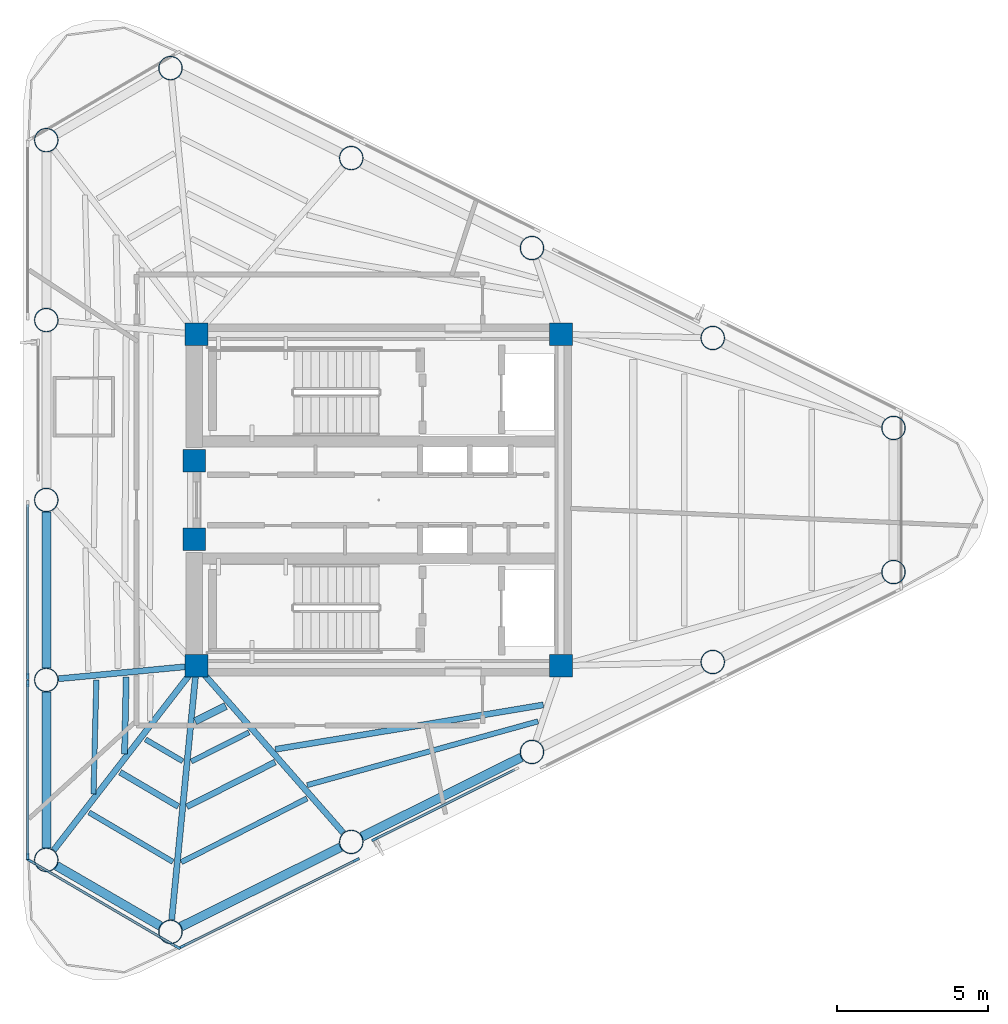
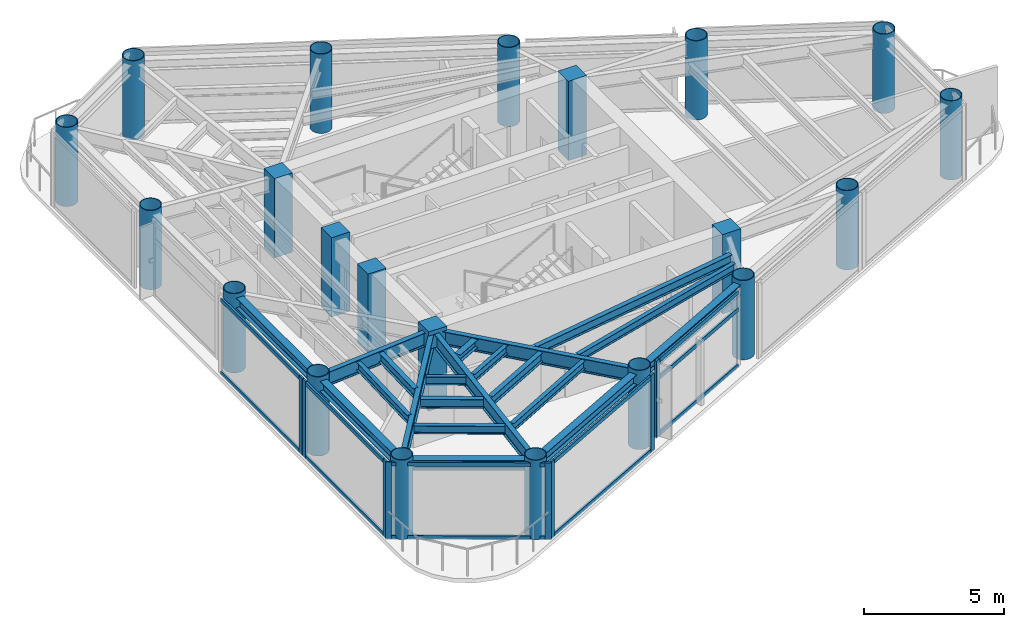
# One storey, part 1 of 10: 21 columns, 20 beams, 19 members, 5 elements without a shape of their own.
"""IFC4 building model written with IfcOpenShell, lengths in metres."""

from ifc_helpers import new_model, si_unit, direction, frame, origin, origin_2d, place, context, subcontext, project, spatial, rectangle, hollow_circle, i_section, extrude, source, transform, mapped, material, layer, layer_set, material_profile, profile_set, type_object, element, aggregate, save


model = new_model("IFC4")

# Units and contexts
model_context = context("Model", 3, precision=1e-05, world=origin(), true_north=direction((0.0, 1.0)))
body_context = subcontext(model_context, "Body", "Model", "MODEL_VIEW")
ifc_project = project(units=[si_unit("LENGTHUNIT", "METRE"), si_unit("AREAUNIT", "SQUARE_METRE"), si_unit("VOLUMEUNIT", "CUBIC_METRE"), si_unit("PLANEANGLEUNIT", "RADIAN"), si_unit("MASSUNIT", "GRAM", prefix="KILO")], contexts=[model_context])

# Site, building, storey
site_placement = place(None, origin())
site = spatial("IfcSite", under=ifc_project, at=site_placement, CompositionType="ELEMENT")
building_placement = place(site_placement, origin())
building = spatial("IfcBuilding", under=site, at=building_placement, Name="Yunling Apex Tower", CompositionType="ELEMENT")
storey_placement = place(building_placement, frame((0.0, 0.0, 296.75)))
storey = spatial("IfcBuildingStorey", under=building, at=storey_placement, Name="L72", CompositionType="ELEMENT", Elevation=296.75)

# Columns
ifc_material_1 = material(Name="Concrete C50", Category="concrete")
ifc_material_profile_1 = material_profile(ifc_material_1, rectangle(XDim=0.75, YDim=0.75, at=origin_2d()))
ifc_profile_set_1 = profile_set([ifc_material_profile_1], Name="Concrete C50")
column_type_1 = type_object("IfcColumnType", Name="PC-SRC-4", PredefinedType="COLUMN", material=ifc_profile_set_1)
shared_shape_1 = source(origin(), body_context, "Body", "SweptSolid", [
    extrude(rectangle(XDim=0.75, YDim=0.75, at=origin_2d()), origin(), (0.0, 0.0, 1.0), 3.449951171875),
])
for number, where, z_axis, x_axis, name in (
    (1, (-6.050048828125, -5.5, 0.0), (0.0, 0.0, 1.0), (1.0, 0.0, 0.0), "L72 Core Spine Column CC-SW"),
    (2, (6.050048828125, -5.5, 0.0), (0.0, 0.0, 1.0), (1.0, 0.0, 0.0), "L72 Core Spine Column CC-SE"),
    (3, (6.050048828125, 5.5, 0.0), (0.0, 0.0, 1.0), (1.0, 0.0, 0.0), "L72 Core Spine Column CC-NE"),
    (4, (-6.050048828125, 5.5, 0.0), (0.0, 0.0, 1.0), (1.0, 0.0, 0.0), "L72 Core Spine Column CC-NW"),
    (5, (-6.125, -1.300048828125, 0.0), (0.0, 0.0, 1.0), (1.0, 0.0, 0.0), "L72 Core West Portal Jamb Column S"),
    (6, (-6.125, 1.300048828125, 0.0), (0.0, 0.0, 1.0), (1.0, 0.0, 0.0), "L72 Core West Portal Jamb Column N"),
):
    element("IfcColumn", number, at=place(storey_placement, frame(where, z_axis=z_axis, x_axis=x_axis)), inside=storey, type_object=column_type_1, Name=name, PredefinedType="COLUMN", context=body_context, shape_type="MappedRepresentation", body=[
        mapped(shared_shape_1, transform((0.0, 0.0, 0.0), scale=1.0)),
    ])
ifc_material_2 = material(Name="Steel Q355B", Category="steel")
ifc_material_profile_2 = material_profile(ifc_material_2, hollow_circle(Radius=0.39990234375, WallThickness=0.028076171875, at=origin_2d()))
ifc_profile_set_2 = profile_set([ifc_material_profile_2], Name="Steel Q355B")
column_type_2 = type_object("IfcColumnType", Name="MC-CFST-7", PredefinedType="COLUMN", material=ifc_profile_set_2)
shared_shape_2 = source(origin(), body_context, "Body", "SweptSolid", [
    extrude(hollow_circle(Radius=0.39990234375, WallThickness=0.028076171875, at=origin_2d()), origin(), (0.0, 0.0, 1.0), 3.449951171875),
])
for number, where, z_axis, x_axis, name in (
    (7, (-6.9140625, -14.336669921875, 0.0), (0.0, 0.0, 1.0), (1.0, 0.0, 0.0), "L72 Perimeter CFST Mega-Column P01"),
    (8, (-0.913818359375, -11.350341796875, 0.0), (0.0, 0.0, 1.0), (1.0, 0.0, 0.0), "L72 Perimeter CFST Mega-Column P02"),
    (9, (5.086181640625, -8.364013671875, 0.0), (0.0, 0.0, 1.0), (1.0, 0.0, 0.0), "L72 Perimeter CFST Mega-Column P03"),
    (10, (11.08642578125, -5.377685546875, 0.0), (0.0, 0.0, 1.0), (1.0, 0.0, 0.0), "L72 Perimeter CFST Mega-Column P04"),
    (11, (17.086669921875, -2.3916015625, 0.0), (0.0, 0.0, 1.0), (1.0, 0.0, 0.0), "L72 Perimeter CFST Mega-Column P05"),
    (12, (17.086669921875, 2.3916015625, 0.0), (0.0, 0.0, 1.0), (1.0, 0.0, 0.0), "L72 Perimeter CFST Mega-Column P06"),
    (13, (11.08642578125, 5.377685546875, 0.0), (0.0, 0.0, 1.0), (1.0, 0.0, 0.0), "L72 Perimeter CFST Mega-Column P07"),
    (14, (5.086181640625, 8.364013671875, 0.0), (0.0, 0.0, 1.0), (1.0, 0.0, 0.0), "L72 Perimeter CFST Mega-Column P08"),
    (15, (-0.913818359375, 11.350341796875, 0.0), (0.0, 0.0, 1.0), (1.0, 0.0, 0.0), "L72 Perimeter CFST Mega-Column P09"),
    (16, (-6.9140625, 14.336669921875, 0.0), (0.0, 0.0, 1.0), (1.0, 0.0, 0.0), "L72 Perimeter CFST Mega-Column P10"),
    (17, (-11.037353515625, 11.9453125, 0.0), (0.0, 0.0, 1.0), (1.0, 0.0, 0.0), "L72 Perimeter CFST Mega-Column P11"),
    (18, (-11.037353515625, 5.97265625, 0.0), (0.0, 0.0, 1.0), (1.0, 0.0, 0.0), "L72 Perimeter CFST Mega-Column P12"),
    (19, (-11.037353515625, 0.0, 0.0), (0.0, 0.0, 1.0), (1.0, 0.0, 0.0), "L72 Perimeter CFST Mega-Column P13"),
    (20, (-11.037353515625, -5.97265625, 0.0), (0.0, 0.0, 1.0), (1.0, 0.0, 0.0), "L72 Perimeter CFST Mega-Column P14"),
    (21, (-11.037353515625, -11.9453125, 0.0), (0.0, 0.0, 1.0), (1.0, 0.0, 0.0), "L72 Perimeter CFST Mega-Column P15"),
):
    element("IfcColumn", number, at=place(storey_placement, frame(where, z_axis=z_axis, x_axis=x_axis)), inside=storey, type_object=column_type_2, Name=name, PredefinedType="COLUMN", context=body_context, shape_type="MappedRepresentation", body=[
        mapped(shared_shape_2, transform((0.0, 0.0, 0.0), scale=1.0)),
    ])

# Beams
ifc_material_profile_3 = material_profile(ifc_material_2, i_section(OverallWidth=0.300048828125, OverallDepth=0.43994140625, WebThickness=0.010986328125, FlangeThickness=0.01806640625, FilletRadius=0.02197265625, at=origin_2d()))
ifc_profile_set_3 = profile_set([ifc_material_profile_3], Name="Steel Q355B")
beam_type_1 = type_object("IfcBeamType", Name="BP-SPN-3", PredefinedType="SPANDREL", material=ifc_profile_set_3)
shared_shape_3 = source(origin(), body_context, "Body", "SweptSolid", [
    extrude(i_section(OverallWidth=0.300048828125, OverallDepth=0.43994140625, WebThickness=0.010986328125, FlangeThickness=0.01806640625, FilletRadius=0.02197265625, at=origin_2d()), origin(), (0.0, 0.0, 1.0), 5.914306640625),
])
for number, where, z_axis, x_axis, name in (
    (22, (-6.561279296875, -14.1611328125, 3.050048828125), (0.895243044542, 0.445578153861, 0.0), (-0.445578153861, 0.895243044542, 0.0), "L72 Perimeter Spandrel Beam 1"),
    (23, (-0.561279296875, -11.1748046875, 3.050048828125), (0.895267705164, 0.445528602999, 0.0), (-0.445528602999, 0.895267705164, 0.0), "L72 Perimeter Spandrel Beam 2"),
):
    element("IfcBeam", number, at=place(storey_placement, frame(where, z_axis=z_axis, x_axis=x_axis)), inside=storey, type_object=beam_type_1, Name=name, PredefinedType="SPANDREL", context=body_context, shape_type="MappedRepresentation", body=[
        mapped(shared_shape_3, transform((0.0, 0.0, 0.0), scale=1.0)),
    ])
shared_shape_4 = source(origin(), body_context, "Body", "SweptSolid", [
    extrude(i_section(OverallWidth=0.300048828125, OverallDepth=0.43994140625, WebThickness=0.010986328125, FlangeThickness=0.01806640625, FilletRadius=0.02197265625, at=origin_2d()), origin(), (0.0, 0.0, 1.0), 3.978515625),
])
beam_1_placement = place(storey_placement, frame((-10.696533203125, -12.142822265625, 3.050048828125), z_axis=(0.86503811344, -0.501706151343, 0.0), x_axis=(0.501706151343, 0.86503811344, 0.0)))
element("IfcBeam", 24, at=beam_1_placement, inside=storey, type_object=beam_type_1, Name="L72 Perimeter Spandrel Beam 15", PredefinedType="SPANDREL", context=body_context, shape_type="MappedRepresentation", body=[
    mapped(shared_shape_4, transform((0.0, 0.0, 0.0), scale=1.0)),
])
shared_shape_5 = source(origin(), body_context, "Body", "SweptSolid", [
    extrude(i_section(OverallWidth=0.300048828125, OverallDepth=0.43994140625, WebThickness=0.010986328125, FlangeThickness=0.01806640625, FilletRadius=0.02197265625, at=origin_2d()), origin(), (0.0, 0.0, 1.0), 5.1845703125),
])
for number, where, z_axis, x_axis, name in (
    (25, (-11.037353515625, -0.39404296875, 3.050048828125), (0.0, -1.0, 0.0), (1.0, 0.0, 0.0), "L72 Perimeter Spandrel Beam 13"),
    (26, (-11.037353515625, -6.36669921875, 3.050048828125), (0.0, -1.0, 0.0), (1.0, 0.0, 0.0), "L72 Perimeter Spandrel Beam 14"),
):
    element("IfcBeam", number, at=place(storey_placement, frame(where, z_axis=z_axis, x_axis=x_axis)), inside=storey, type_object=beam_type_1, Name=name, PredefinedType="SPANDREL", context=body_context, shape_type="MappedRepresentation", body=[
        mapped(shared_shape_5, transform((0.0, 0.0, 0.0), scale=1.0)),
    ])
ifc_material_profile_4 = material_profile(ifc_material_2, i_section(OverallWidth=0.199951171875, OverallDepth=0.60009765625, WebThickness=0.010986328125, FlangeThickness=0.01708984375, FilletRadius=0.02197265625, at=origin_2d()))
ifc_profile_set_4 = profile_set([ifc_material_profile_4], Name="Steel Q355B")
beam_type_2 = type_object("IfcBeamType", Name="BG-PRI-5", PredefinedType="USERDEFINED", material=ifc_profile_set_4)
shared_shape_6 = source(origin(), body_context, "Body", "SweptSolid", [
    extrude(i_section(OverallWidth=0.199951171875, OverallDepth=0.60009765625, WebThickness=0.010986328125, FlangeThickness=0.01708984375, FilletRadius=0.02197265625, at=origin_2d()), origin(), (0.0, 0.0, 1.0), 8.390869140625),
])
beam_2_placement = place(storey_placement, frame((-6.874267578125, -13.9306640625, 2.969970703125), z_axis=(0.097296792844, 0.995255411491, 0.0), x_axis=(-0.995255411491, 0.097296792844, 0.0)))
element("IfcBeam", 27, at=beam_2_placement, inside=storey, type_object=beam_type_2, Name="L72 Radial Primary Girder R01", ObjectType="GIRDER", PredefinedType="USERDEFINED", context=body_context, shape_type="MappedRepresentation", body=[
    mapped(shared_shape_6, transform((0.0, 0.0, 0.0), scale=1.0)),
])
shared_shape_7 = source(origin(), body_context, "Body", "SweptSolid", [
    extrude(i_section(OverallWidth=0.199951171875, OverallDepth=0.60009765625, WebThickness=0.010986328125, FlangeThickness=0.01708984375, FilletRadius=0.02197265625, at=origin_2d()), origin(), (0.0, 0.0, 1.0), 7.297119140625),
])
beam_3_placement = place(storey_placement, frame((-1.18310546875, -11.043701171875, 2.969970703125), z_axis=(-0.659747259747, 0.751487560281, 0.0), x_axis=(-0.751487560281, -0.659747259747, 0.0)))
element("IfcBeam", 28, at=beam_3_placement, inside=storey, type_object=beam_type_2, Name="L72 Radial Primary Girder R02", ObjectType="GIRDER", PredefinedType="USERDEFINED", context=body_context, shape_type="MappedRepresentation", body=[
    mapped(shared_shape_7, transform((0.0, 0.0, 0.0), scale=1.0)),
])
shared_shape_8 = source(origin(), body_context, "Body", "SweptSolid", [
    extrude(i_section(OverallWidth=0.199951171875, OverallDepth=0.60009765625, WebThickness=0.010986328125, FlangeThickness=0.01708984375, FilletRadius=0.02197265625, at=origin_2d()), origin(), (0.0, 0.0, 1.0), 7.661376953125),
])
beam_4_placement = place(storey_placement, frame((-10.78759765625, -11.62255859375, 2.969970703125), z_axis=(0.611959789037, 0.790888877531, 0.0), x_axis=(-0.790888877531, 0.611959789037, 0.0)))
element("IfcBeam", 29, at=beam_4_placement, inside=storey, type_object=beam_type_2, Name="L72 Radial Primary Girder R15", ObjectType="GIRDER", PredefinedType="USERDEFINED", context=body_context, shape_type="MappedRepresentation", body=[
    mapped(shared_shape_8, transform((0.0, 0.0, 0.0), scale=1.0)),
])
shared_shape_9 = source(origin(), body_context, "Body", "SweptSolid", [
    extrude(i_section(OverallWidth=0.199951171875, OverallDepth=0.60009765625, WebThickness=0.010986328125, FlangeThickness=0.01708984375, FilletRadius=0.02197265625, at=origin_2d()), origin(), (0.0, 0.0, 1.0), 4.521728515625),
])
beam_5_placement = place(storey_placement, frame((-10.631103515625, -5.93408203125, 2.969970703125), z_axis=(0.99554122067, 0.094327503661, 0.0), x_axis=(-0.094327503661, 0.99554122067, 0.0)))
element("IfcBeam", 30, at=beam_5_placement, inside=storey, type_object=beam_type_2, Name="L72 Radial Primary Girder R14", ObjectType="GIRDER", PredefinedType="USERDEFINED", context=body_context, shape_type="MappedRepresentation", body=[
    mapped(shared_shape_9, transform((0.0, 0.0, 0.0), scale=1.0)),
])
ifc_material_profile_5 = material_profile(ifc_material_2, i_section(OverallWidth=0.199951171875, OverallDepth=0.39990234375, WebThickness=0.008056640625, FlangeThickness=0.012939453125, FilletRadius=0.01611328125, at=origin_2d()))
ifc_profile_set_5 = profile_set([ifc_material_profile_5], Name="Steel Q355B")
beam_type_3 = type_object("IfcBeamType", Name="BS-SEC-4", PredefinedType="BEAM", material=ifc_profile_set_5)
shared_shape_10 = source(origin(), body_context, "Body", "SweptSolid", [
    extrude(i_section(OverallWidth=0.199951171875, OverallDepth=0.39990234375, WebThickness=0.008056640625, FlangeThickness=0.012939453125, FilletRadius=0.01611328125, at=origin_2d()), origin(), (0.0, 0.0, 1.0), 3.281494140625),
])
beam_6_placement = place(storey_placement, frame((-6.372314453125, -10.18408203125, 3.070068359375), z_axis=(0.892364297468, 0.451315810275, 0.0), x_axis=(-0.451315810275, 0.892364297468, 0.0)))
element("IfcBeam", 31, at=beam_6_placement, inside=storey, type_object=beam_type_3, Name="L72 Composite Floor Beam BS-1", PredefinedType="BEAM", context=body_context, shape_type="MappedRepresentation", body=[
    mapped(shared_shape_10, transform((0.0, 0.0, 0.0), scale=1.0)),
])
ifc_material_profile_6 = material_profile(ifc_material_2, i_section(OverallWidth=0.175048828125, OverallDepth=0.35009765625, WebThickness=0.007080078125, FlangeThickness=0.010986328125, FilletRadius=0.013916015625, at=origin_2d()))
ifc_profile_set_6 = profile_set([ifc_material_profile_6], Name="Steel Q355B")
beam_type_4 = type_object("IfcBeamType", Name="BJ-JST-1", PredefinedType="JOIST", material=ifc_profile_set_6)
shared_shape_11 = source(origin(), body_context, "Body", "SweptSolid", [
    extrude(i_section(OverallWidth=0.175048828125, OverallDepth=0.35009765625, WebThickness=0.007080078125, FlangeThickness=0.010986328125, FilletRadius=0.013916015625, at=origin_2d()), origin(), (0.0, 0.0, 1.0), 4.67138671875),
])
beam_7_placement = place(storey_placement, frame((-6.552001953125, -12.02099609375, 3.094970703125), z_axis=(0.892031280848, 0.45197366515, 0.0), x_axis=(-0.45197366515, 0.892031280848, 0.0)))
element("IfcBeam", 32, at=beam_7_placement, inside=storey, type_object=beam_type_4, Name="L72 Composite Floor Joist BJ1-1", PredefinedType="JOIST", context=body_context, shape_type="MappedRepresentation", body=[
    mapped(shared_shape_11, transform((0.0, 0.0, 0.0), scale=1.0)),
])
shared_shape_12 = source(origin(), body_context, "Body", "SweptSolid", [
    extrude(i_section(OverallWidth=0.175048828125, OverallDepth=0.35009765625, WebThickness=0.007080078125, FlangeThickness=0.010986328125, FilletRadius=0.013916015625, at=origin_2d()), origin(), (0.0, 0.0, 1.0), 2.143798828125),
])
beam_8_placement = place(storey_placement, frame((-6.22509765625, -8.680908203125, 3.094970703125), z_axis=(0.892941835578, 0.45017205408, 0.0), x_axis=(-0.45017205408, 0.892941835578, 0.0)))
element("IfcBeam", 33, at=beam_8_placement, inside=storey, type_object=beam_type_4, Name="L72 Composite Floor Joist BJ3-1", PredefinedType="JOIST", context=body_context, shape_type="MappedRepresentation", body=[
    mapped(shared_shape_12, transform((0.0, 0.0, 0.0), scale=1.0)),
])
ifc_material_profile_7 = material_profile(ifc_material_2, i_section(OverallWidth=0.25, OverallDepth=0.340087890625, WebThickness=0.009033203125, FlangeThickness=0.013916015625, FilletRadius=0.01806640625, at=origin_2d()))
ifc_profile_set_7 = profile_set([ifc_material_profile_7], Name="Steel Q355B")
beam_type_5 = type_object("IfcBeamType", Name="BJ-JST-2", PredefinedType="JOIST", material=ifc_profile_set_7)
shared_shape_13 = source(origin(), body_context, "Body", "SweptSolid", [
    extrude(i_section(OverallWidth=0.25, OverallDepth=0.340087890625, WebThickness=0.009033203125, FlangeThickness=0.013916015625, FilletRadius=0.01806640625, at=origin_2d()), origin(), (0.0, 0.0, 1.0), 1.1328125),
])
beam_9_placement = place(storey_placement, frame((-6.09423828125, -7.34521484375, 3.10009765625), z_axis=(0.894211562533, 0.447644592765, 0.0), x_axis=(-0.447644592765, 0.894211562533, 0.0)))
element("IfcBeam", 34, at=beam_9_placement, inside=storey, type_object=beam_type_5, Name="L72 Composite Floor Joist BJ2-1", PredefinedType="JOIST", context=body_context, shape_type="MappedRepresentation", body=[
    mapped(shared_shape_13, transform((0.0, 0.0, 0.0), scale=1.0)),
])
shared_shape_14 = source(origin(), body_context, "Body", "SweptSolid", [
    extrude(i_section(OverallWidth=0.199951171875, OverallDepth=0.39990234375, WebThickness=0.008056640625, FlangeThickness=0.012939453125, FilletRadius=0.01611328125, at=origin_2d()), origin(), (0.0, 0.0, 1.0), 9.01611328125),
])
beam_10_placement = place(storey_placement, frame((-3.432373046875, -8.27587890625, 3.070068359375), z_axis=(0.986561729833, 0.163388962996, 0.0), x_axis=(-0.163388962996, 0.986561729833, 0.0)))
element("IfcBeam", 35, at=beam_10_placement, inside=storey, type_object=beam_type_3, Name="L72 Composite Floor Beam BS-2", PredefinedType="BEAM", context=body_context, shape_type="MappedRepresentation", body=[
    mapped(shared_shape_14, transform((0.0, 0.0, 0.0), scale=1.0)),
])
shared_shape_15 = source(origin(), body_context, "Body", "SweptSolid", [
    extrude(i_section(OverallWidth=0.175048828125, OverallDepth=0.35009765625, WebThickness=0.007080078125, FlangeThickness=0.010986328125, FilletRadius=0.013916015625, at=origin_2d()), origin(), (0.0, 0.0, 1.0), 7.952392578125),
])
beam_11_placement = place(storey_placement, frame((-2.376708984375, -9.4658203125, 3.094970703125), z_axis=(0.963874198485, 0.266357897377, 0.0), x_axis=(-0.266357897377, 0.963874198485, 0.0)))
element("IfcBeam", 36, at=beam_11_placement, inside=storey, type_object=beam_type_4, Name="L72 Composite Floor Joist BJ1-2", PredefinedType="JOIST", context=body_context, shape_type="MappedRepresentation", body=[
    mapped(shared_shape_15, transform((0.0, 0.0, 0.0), scale=1.0)),
])
shared_shape_16 = source(origin(), body_context, "Body", "SweptSolid", [
    extrude(i_section(OverallWidth=0.199951171875, OverallDepth=0.39990234375, WebThickness=0.008056640625, FlangeThickness=0.012939453125, FilletRadius=0.01611328125, at=origin_2d()), origin(), (0.0, 0.0, 1.0), 2.552734375),
])
beam_12_placement = place(storey_placement, frame((-8.3837890625, -5.880859375, 3.070068359375), z_axis=(-0.021902331041, -0.999760115175, 0.0), x_axis=(0.999760115175, -0.021902331041, 0.0)))
element("IfcBeam", 37, at=beam_12_placement, inside=storey, type_object=beam_type_3, Name="L72 Composite Floor Beam BS-14", PredefinedType="BEAM", context=body_context, shape_type="MappedRepresentation", body=[
    mapped(shared_shape_16, transform((0.0, 0.0, 0.0), scale=1.0)),
])
shared_shape_17 = source(origin(), body_context, "Body", "SweptSolid", [
    extrude(i_section(OverallWidth=0.175048828125, OverallDepth=0.35009765625, WebThickness=0.007080078125, FlangeThickness=0.010986328125, FilletRadius=0.013916015625, at=origin_2d()), origin(), (0.0, 0.0, 1.0), 3.792724609375),
])
beam_13_placement = place(storey_placement, frame((-9.374755859375, -5.974609375, 3.094970703125), z_axis=(-0.02529776075, -0.999679960438, 0.0), x_axis=(0.999679960438, -0.02529776075, 0.0)))
element("IfcBeam", 38, at=beam_13_placement, inside=storey, type_object=beam_type_4, Name="L72 Composite Floor Joist BJ1-14", PredefinedType="JOIST", context=body_context, shape_type="MappedRepresentation", body=[
    mapped(shared_shape_17, transform((0.0, 0.0, 0.0), scale=1.0)),
])
shared_shape_18 = source(origin(), body_context, "Body", "SweptSolid", [
    extrude(i_section(OverallWidth=0.199951171875, OverallDepth=0.39990234375, WebThickness=0.008056640625, FlangeThickness=0.012939453125, FilletRadius=0.01611328125, at=origin_2d()), origin(), (0.0, 0.0, 1.0), 2.243408203125),
])
beam_14_placement = place(storey_placement, frame((-8.586669921875, -9.03759765625, 3.070068359375), z_axis=(0.861925822056, -0.507034394566, 0.0), x_axis=(0.507034394566, 0.861925822056, 0.0)))
element("IfcBeam", 39, at=beam_14_placement, inside=storey, type_object=beam_type_3, Name="L72 Composite Floor Beam BS-15", PredefinedType="BEAM", context=body_context, shape_type="MappedRepresentation", body=[
    mapped(shared_shape_18, transform((0.0, 0.0, 0.0), scale=1.0)),
])
shared_shape_19 = source(origin(), body_context, "Body", "SweptSolid", [
    extrude(i_section(OverallWidth=0.175048828125, OverallDepth=0.35009765625, WebThickness=0.007080078125, FlangeThickness=0.010986328125, FilletRadius=0.013916015625, at=origin_2d()), origin(), (0.0, 0.0, 1.0), 3.233642578125),
])
beam_15_placement = place(storey_placement, frame((-9.618408203125, -10.37060546875, 3.094970703125), z_axis=(0.861549665957, -0.507673293655, 0.0), x_axis=(0.507673293655, 0.861549665957, 0.0)))
element("IfcBeam", 40, at=beam_15_placement, inside=storey, type_object=beam_type_4, Name="L72 Composite Floor Joist BJ1-15", PredefinedType="JOIST", context=body_context, shape_type="MappedRepresentation", body=[
    mapped(shared_shape_19, transform((0.0, 0.0, 0.0), scale=1.0)),
])
shared_shape_20 = source(origin(), body_context, "Body", "SweptSolid", [
    extrude(i_section(OverallWidth=0.175048828125, OverallDepth=0.35009765625, WebThickness=0.007080078125, FlangeThickness=0.010986328125, FilletRadius=0.013916015625, at=origin_2d()), origin(), (0.0, 0.0, 1.0), 1.43359375),
])
beam_16_placement = place(storey_placement, frame((-7.74267578125, -7.94677734375, 3.094970703125), z_axis=(0.862559589494, -0.50595548675, 0.0), x_axis=(0.50595548675, 0.862559589494, 0.0)))
element("IfcBeam", 41, at=beam_16_placement, inside=storey, type_object=beam_type_4, Name="L72 Composite Floor Joist BJ3-15", PredefinedType="JOIST", context=body_context, shape_type="MappedRepresentation", body=[
    mapped(shared_shape_20, transform((0.0, 0.0, 0.0), scale=1.0)),
])

# Curtain wall, members
ifc_material_3 = material(Name="Bronze anodised aluminium", Category="aluminium")
ifc_layer = layer(ifc_material_3, 0.219970703125)
ifc_layer_set = layer_set([ifc_layer], Name="Bronze anodised aluminium")
curtain_wall_type = type_object("IfcCurtainWallType", Name="CW-SYS-4", PredefinedType="NOTDEFINED", material=ifc_layer_set)
curtain_wall_1_placement = place(storey_placement, origin())
curtain_wall_1 = element("IfcCurtainWall", 42, at=curtain_wall_1_placement, inside=storey, type_object=curtain_wall_type, Name="CW-L72-F1-B1", PredefinedType="NOTDEFINED")
ifc_material_profile_8 = material_profile(ifc_material_3, rectangle(XDim=0.080078125, YDim=0.169921875, at=origin_2d()))
ifc_profile_set_8 = profile_set([ifc_material_profile_8], Name="Bronze anodised aluminium")
member_type_1 = type_object("IfcMemberType", Name="CW-TRN-4", PredefinedType="USERDEFINED", material=ifc_profile_set_8)
shared_shape_21 = source(origin(), body_context, "Body", "SweptSolid", [
    extrude(rectangle(XDim=0.080078125, YDim=0.169921875, at=origin_2d()), origin(), (0.0, 0.0, 1.0), 6.39013671875),
])
member_1_placement = place(storey_placement, frame((-6.50244140625, -14.813232421875, 0.0400390625), z_axis=(0.89525092504, 0.445562320238, 0.0), x_axis=(-0.445562320238, 0.89525092504, 0.0)))
member_1 = element("IfcMember", 43, at=member_1_placement, type_object=member_type_1, Name="CW-SYS-4 transom 1.1", ObjectType="TRANSOM", PredefinedType="USERDEFINED", context=body_context, shape_type="MappedRepresentation", body=[
    mapped(shared_shape_21, transform((0.0, 0.0, 0.0), scale=1.0)),
])
member_2_placement = place(storey_placement, frame((-6.50244140625, -14.813232421875, 3.22998046875), z_axis=(0.89525092504, 0.445562320238, 0.0), x_axis=(-0.445562320238, 0.89525092504, 0.0)))
member_2 = element("IfcMember", 44, at=member_2_placement, type_object=member_type_1, Name="CW-SYS-4 transom 1.2", ObjectType="TRANSOM", PredefinedType="USERDEFINED", context=body_context, shape_type="MappedRepresentation", body=[
    mapped(shared_shape_21, transform((0.0, 0.0, 0.0), scale=1.0)),
])

curtain_wall_2_placement = place(storey_placement, origin())
curtain_wall_2 = element("IfcCurtainWall", 45, at=curtain_wall_2_placement, inside=storey, type_object=curtain_wall_type, Name="CW-L72-F1-B2", PredefinedType="NOTDEFINED")
shared_shape_22 = source(origin(), body_context, "Body", "SweptSolid", [
    extrude(rectangle(XDim=0.080078125, YDim=0.169921875, at=origin_2d()), origin(), (0.0, 0.0, 1.0), 5.150390625),
])
member_3_placement = place(storey_placement, frame((-0.098876953125, -11.246337890625, 0.0400390625), z_axis=(0.895259933779, 0.445544218871, 0.0), x_axis=(-0.445544218871, 0.895259933779, 0.0)))
member_3 = element("IfcMember", 46, at=member_3_placement, type_object=member_type_1, Name="CW-SYS-4 transom 1.1", ObjectType="TRANSOM", PredefinedType="USERDEFINED", context=body_context, shape_type="MappedRepresentation", body=[
    mapped(shared_shape_22, transform((0.0, 0.0, 0.0), scale=1.0)),
])
member_4_placement = place(storey_placement, frame((-0.098876953125, -11.246337890625, 2.485107421875), z_axis=(0.895259933779, 0.445544218871, 0.0), x_axis=(-0.445544218871, 0.895259933779, 0.0)))
member_4 = element("IfcMember", 47, at=member_4_placement, type_object=member_type_1, Name="CW-SYS-4 transom 1.2", ObjectType="TRANSOM", PredefinedType="USERDEFINED", context=body_context, shape_type="MappedRepresentation", body=[
    mapped(shared_shape_22, transform((0.0, 0.0, 0.0), scale=1.0)),
])
member_5_placement = place(storey_placement, frame((-0.098876953125, -11.246337890625, 3.22998046875), z_axis=(0.895259933779, 0.445544218871, 0.0), x_axis=(-0.445544218871, 0.895259933779, 0.0)))
member_5 = element("IfcMember", 48, at=member_5_placement, type_object=member_type_1, Name="CW-SYS-4 transom 1.3", ObjectType="TRANSOM", PredefinedType="USERDEFINED", context=body_context, shape_type="MappedRepresentation", body=[
    mapped(shared_shape_22, transform((0.0, 0.0, 0.0), scale=1.0)),
])

curtain_wall_3_placement = place(storey_placement, origin())
curtain_wall_3 = element("IfcCurtainWall", 49, at=curtain_wall_3_placement, inside=storey, type_object=curtain_wall_type, Name="CW-L72-CRN3", PredefinedType="NOTDEFINED")
shared_shape_23 = source(origin(), body_context, "Body", "SweptSolid", [
    extrude(rectangle(XDim=0.080078125, YDim=0.169921875, at=origin_2d()), origin(), (0.0, 0.0, 1.0), 5.61767578125),
])
member_6_placement = place(storey_placement, frame((-11.561767578125, -11.983642578125, 0.0400390625), z_axis=(0.862486715055, -0.506079703558, 0.0), x_axis=(0.506079703558, 0.862486715055, 0.0)))
member_6 = element("IfcMember", 50, at=member_6_placement, type_object=member_type_1, Name="CW-SYS-4 transom 1.1", ObjectType="TRANSOM", PredefinedType="USERDEFINED", context=body_context, shape_type="MappedRepresentation", body=[
    mapped(shared_shape_23, transform((0.0, 0.0, 0.0), scale=1.0)),
])
member_7_placement = place(storey_placement, frame((-11.561767578125, -11.983642578125, 3.22998046875), z_axis=(0.862486715055, -0.506079703558, 0.0), x_axis=(0.506079703558, 0.862486715055, 0.0)))
member_7 = element("IfcMember", 51, at=member_7_placement, type_object=member_type_1, Name="CW-SYS-4 transom 1.2", ObjectType="TRANSOM", PredefinedType="USERDEFINED", context=body_context, shape_type="MappedRepresentation", body=[
    mapped(shared_shape_23, transform((0.0, 0.0, 0.0), scale=1.0)),
])

curtain_wall_4_placement = place(storey_placement, origin())
curtain_wall_4 = element("IfcCurtainWall", 52, at=curtain_wall_4_placement, inside=storey, type_object=curtain_wall_type, Name="CW-L72-F3-B3", PredefinedType="NOTDEFINED")
shared_shape_24 = source(origin(), body_context, "Body", "SweptSolid", [
    extrude(rectangle(XDim=0.080078125, YDim=0.169921875, at=origin_2d()), origin(), (0.0, 0.0, 1.0), 5.66064453125),
])
member_8_placement = place(storey_placement, frame((-11.647216796875, -0.156005859375, 0.0400390625), z_axis=(0.0, -1.0, 0.0), x_axis=(1.0, 0.0, 0.0)))
member_8 = element("IfcMember", 53, at=member_8_placement, type_object=member_type_1, Name="CW-SYS-4 transom 1.1", ObjectType="TRANSOM", PredefinedType="USERDEFINED", context=body_context, shape_type="MappedRepresentation", body=[
    mapped(shared_shape_24, transform((0.0, 0.0, 0.0), scale=1.0)),
])
member_9_placement = place(storey_placement, frame((-11.647216796875, -0.156005859375, 3.22998046875), z_axis=(0.0, -1.0, 0.0), x_axis=(1.0, 0.0, 0.0)))
member_9 = element("IfcMember", 54, at=member_9_placement, type_object=member_type_1, Name="CW-SYS-4 transom 1.2", ObjectType="TRANSOM", PredefinedType="USERDEFINED", context=body_context, shape_type="MappedRepresentation", body=[
    mapped(shared_shape_24, transform((0.0, 0.0, 0.0), scale=1.0)),
])

curtain_wall_5_placement = place(storey_placement, origin())
curtain_wall_5 = element("IfcCurtainWall", 55, at=curtain_wall_5_placement, inside=storey, type_object=curtain_wall_type, Name="CW-L72-F3-B4", PredefinedType="NOTDEFINED")
member_10_placement = place(storey_placement, frame((-11.647216796875, -6.128662109375, 0.0400390625), z_axis=(0.0, -1.0, 0.0), x_axis=(1.0, 0.0, 0.0)))
member_10 = element("IfcMember", 56, at=member_10_placement, type_object=member_type_1, Name="CW-SYS-4 transom 1.1", ObjectType="TRANSOM", PredefinedType="USERDEFINED", context=body_context, shape_type="MappedRepresentation", body=[
    mapped(shared_shape_24, transform((0.0, 0.0, 0.0), scale=1.0)),
])
member_11_placement = place(storey_placement, frame((-11.647216796875, -6.128662109375, 3.22998046875), z_axis=(0.0, -1.0, 0.0), x_axis=(1.0, 0.0, 0.0)))
member_11 = element("IfcMember", 57, at=member_11_placement, type_object=member_type_1, Name="CW-SYS-4 transom 1.2", ObjectType="TRANSOM", PredefinedType="USERDEFINED", context=body_context, shape_type="MappedRepresentation", body=[
    mapped(shared_shape_24, transform((0.0, 0.0, 0.0), scale=1.0)),
])

# Member
ifc_material_profile_9 = material_profile(ifc_material_3, rectangle(XDim=0.080078125, YDim=0.219970703125, at=origin_2d()))
ifc_profile_set_9 = profile_set([ifc_material_profile_9], Name="Bronze anodised aluminium")
member_type_2 = type_object("IfcMemberType", Name="CW-MUL-4", PredefinedType="MULLION", material=ifc_profile_set_9)
shared_shape_25 = source(origin(), body_context, "Body", "SweptSolid", [
    extrude(rectangle(XDim=0.080078125, YDim=0.219970703125, at=origin_2d()), origin(), (0.0, 0.0, 1.0), 3.3701171875),
])
member_12_placement = place(storey_placement, frame((-6.534912109375, -14.829345703125, -0.050048828125), z_axis=(0.0, 0.0, 1.0), x_axis=(-0.445568135078, 0.895248030996, 0.0)))
member_12 = element("IfcMember", 58, at=member_12_placement, type_object=member_type_2, Name="CW-SYS-4 mullion 1", PredefinedType="MULLION", context=body_context, shape_type="MappedRepresentation", body=[
    mapped(shared_shape_25, transform((0.0, 0.0, 0.0), scale=1.0)),
])

member_13_placement = place(storey_placement, frame((-0.74951171875, -11.949951171875, -0.050048828125), z_axis=(0.0, 0.0, 1.0), x_axis=(-0.445568135078, 0.895248030996, 0.0)))
member_13 = element("IfcMember", 59, at=member_13_placement, type_object=member_type_2, Name="CW-SYS-4 mullion 2", PredefinedType="MULLION", context=body_context, shape_type="MappedRepresentation", body=[
    mapped(shared_shape_25, transform((0.0, 0.0, 0.0), scale=1.0)),
])

aggregate(curtain_wall_1, [member_12, member_13, member_1, member_2])

member_14_placement = place(storey_placement, frame((-0.131103515625, -11.262451171875, -0.050048828125), z_axis=(0.0, 0.0, 1.0), x_axis=(-0.445560721723, 0.895251720611, 0.0)))
member_14 = element("IfcMember", 60, at=member_14_placement, type_object=member_type_2, Name="CW-SYS-4 mullion 1", PredefinedType="MULLION", context=body_context, shape_type="MappedRepresentation", body=[
    mapped(shared_shape_25, transform((0.0, 0.0, 0.0), scale=1.0)),
])

aggregate(curtain_wall_2, [member_14, member_3, member_4, member_5])

member_15_placement = place(storey_placement, frame((-11.647216796875, -5.8525390625, -0.050048828125), z_axis=(0.0, 0.0, 1.0), x_axis=(1.0, 0.0, 0.0)))
member_15 = element("IfcMember", 61, at=member_15_placement, type_object=member_type_2, Name="CW-SYS-4 mullion 2", PredefinedType="MULLION", context=body_context, shape_type="MappedRepresentation", body=[
    mapped(shared_shape_25, transform((0.0, 0.0, 0.0), scale=1.0)),
])

aggregate(curtain_wall_4, [member_15, member_8, member_9])

member_16_placement = place(storey_placement, frame((-11.647216796875, -6.092529296875, -0.050048828125), z_axis=(0.0, 0.0, 1.0), x_axis=(1.0, 0.0, 0.0)))
member_16 = element("IfcMember", 62, at=member_16_placement, type_object=member_type_2, Name="CW-SYS-4 mullion 1", PredefinedType="MULLION", context=body_context, shape_type="MappedRepresentation", body=[
    mapped(shared_shape_25, transform((0.0, 0.0, 0.0), scale=1.0)),
])

member_17_placement = place(storey_placement, frame((-11.647216796875, -11.8251953125, -0.050048828125), z_axis=(0.0, 0.0, 1.0), x_axis=(1.0, 0.0, 0.0)))
member_17 = element("IfcMember", 63, at=member_17_placement, type_object=member_type_2, Name="CW-SYS-4 mullion 2", PredefinedType="MULLION", context=body_context, shape_type="MappedRepresentation", body=[
    mapped(shared_shape_25, transform((0.0, 0.0, 0.0), scale=1.0)),
])

aggregate(curtain_wall_5, [member_16, member_17, member_10, member_11])

member_18_placement = place(storey_placement, frame((-11.5927734375, -11.96533203125, -0.050048828125), z_axis=(0.0, 0.0, 1.0), x_axis=(0.506069970256, 0.862492426173, 0.0)))
member_18 = element("IfcMember", 64, at=member_18_placement, type_object=member_type_2, Name="CW-SYS-4 mullion 1", PredefinedType="MULLION", context=body_context, shape_type="MappedRepresentation", body=[
    mapped(shared_shape_25, transform((0.0, 0.0, 0.0), scale=1.0)),
])

member_19_placement = place(storey_placement, frame((-6.685546875, -14.8447265625, -0.050048828125), z_axis=(0.0, 0.0, 1.0), x_axis=(0.506069970256, 0.862492426173, 0.0)))
member_19 = element("IfcMember", 65, at=member_19_placement, type_object=member_type_2, Name="CW-SYS-4 mullion 2", PredefinedType="MULLION", context=body_context, shape_type="MappedRepresentation", body=[
    mapped(shared_shape_25, transform((0.0, 0.0, 0.0), scale=1.0)),
])

aggregate(curtain_wall_3, [member_18, member_19, member_6, member_7])

save(model, "model.ifc")
